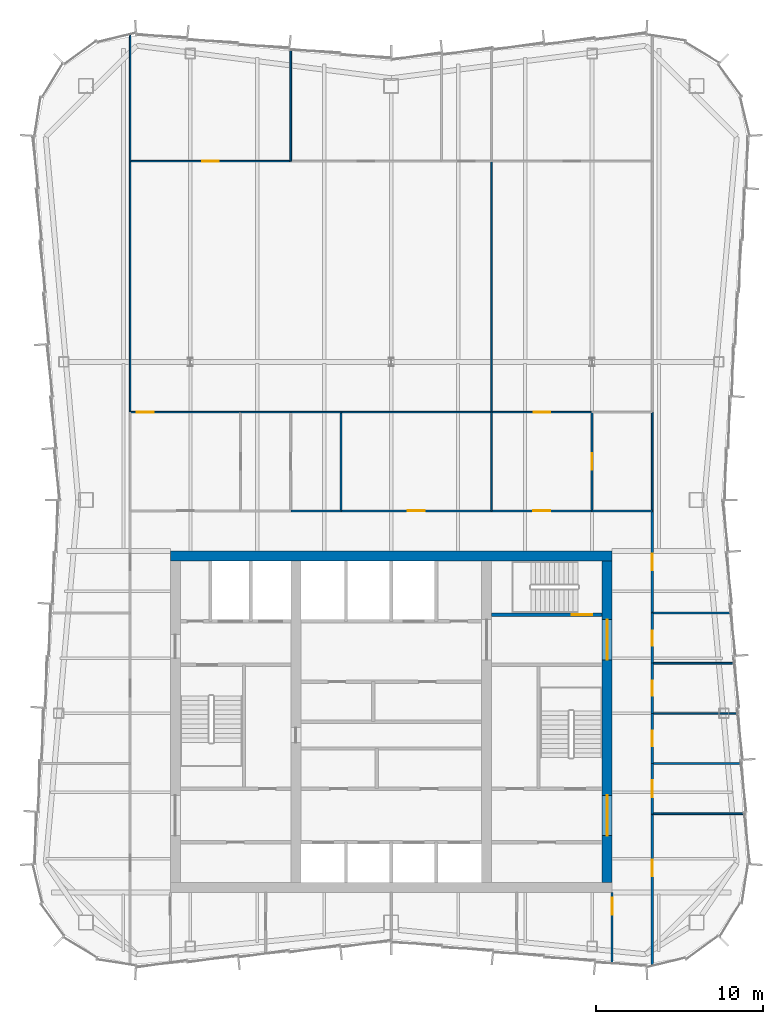
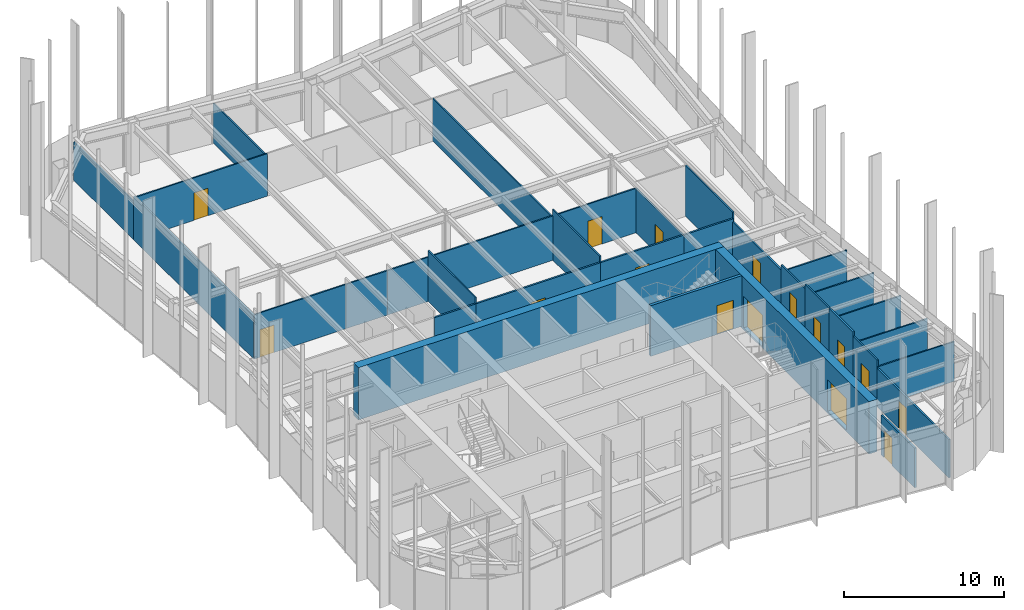
# One storey, part 11 of 13: 33 walls, 16 doors, 16 openings.
"""IFC4 building model written with IfcOpenShell, lengths in metres."""

import ifcopenshell
import ifcopenshell.guid

model = None  # the IFC model being written
_history = None  # IfcOwnerHistory: only IFC2X3 demands one
_inside = {}  # id of a spatial element -> (the spatial element, [elements in it])
_under = {}  # id of a project, library or spatial element -> (it, [spatial elements below it])
_declared = {}  # id of a project -> (the project, [libraries it declares])
_typed = {}  # id of a type object -> (the type object, [elements of that type])
_made_of = {}  # id of a material, layer set ... -> (it, [elements and type objects made of it])


def new_model(schema):
    """Start an empty IFC model of exactly this schema.

    Asked for "IFC4X3", IfcOpenShell would pick the latest addendum, in which some entities
    have other attributes; the version numbers below select the first issue.
    IFC2X3 requires an IfcOwnerHistory on every rooted entity: one is made here for all.
    """
    global model, _history
    if schema == "IFC4X3":
        model = ifcopenshell.file(schema_version=(4, 3, 0, 0))
    else:
        model = ifcopenshell.file(schema=schema)
    _inside.clear()
    _under.clear()
    _declared.clear()
    _typed.clear()
    _made_of.clear()
    _history = None
    if model.schema == "IFC2X3":
        org = make("IfcOrganization", Name="unknown")
        user = make(
            "IfcPersonAndOrganization",
            ThePerson=make("IfcPerson", FamilyName="unknown"),
            TheOrganization=org,
        )
        app = make(
            "IfcApplication",
            ApplicationDeveloper=org,
            Version="unknown",
            ApplicationFullName="unknown",
            ApplicationIdentifier="unknown",
        )
        _history = make(
            "IfcOwnerHistory",
            OwningUser=user,
            OwningApplication=app,
            ChangeAction="ADDED",
            CreationDate=0,
        )
    return model


def make(cls, **values):
    """One entity of the class cls with the attributes given. An attribute that is None is left unset."""
    return model.create_entity(
        cls, **{name: value for name, value in values.items() if value is not None}
    )


def rooted(cls, **values):
    """An entity with a GlobalId (a new one), such as an element, a storey or a relation."""
    return make(cls, GlobalId=ifcopenshell.guid.new(), OwnerHistory=_history, **values)


def si_unit(unit_type, name, prefix=None):
    """IfcSIUnit, for example si_unit("LENGTHUNIT", "METRE", prefix="MILLI")."""
    return make("IfcSIUnit", UnitType=unit_type, Prefix=prefix, Name=name)


def assignment(units):
    """IfcUnitAssignment: the units of a project."""
    return None if units is None else make("IfcUnitAssignment", Units=units)


def point(xyz):
    """IfcCartesianPoint."""
    return None if xyz is None else make("IfcCartesianPoint", Coordinates=xyz)


def direction(xyz):
    """IfcDirection."""
    return None if xyz is None else make("IfcDirection", DirectionRatios=xyz)


def frame(location, z_axis=None, x_axis=None):
    """IfcAxis2Placement3D, a coordinate frame: its origin and axes. An axis left out is left unset."""
    return make(
        "IfcAxis2Placement3D",
        Location=point(location),
        Axis=direction(z_axis),
        RefDirection=direction(x_axis),
    )


def frame_2d(location, x_axis=None):
    """IfcAxis2Placement2D, a coordinate frame in the plane: its origin and x axis."""
    return make(
        "IfcAxis2Placement2D", Location=point(location), RefDirection=direction(x_axis)
    )


def origin():
    """The frame at (0, 0, 0) with its axes left unset."""
    return frame((0.0, 0.0, 0.0))


def place(relative_to, where):
    """IfcLocalPlacement: puts the frame where relative to a parent placement (None: the world)."""
    return make(
        "IfcLocalPlacement", PlacementRelTo=relative_to, RelativePlacement=where
    )


def context(
    kind, dimensions, precision=None, world=None, true_north=None, identifier=None
):
    """IfcGeometricRepresentationContext, for example the 3D "Model" context."""
    return make(
        "IfcGeometricRepresentationContext",
        ContextIdentifier=identifier,
        ContextType=kind,
        CoordinateSpaceDimension=dimensions,
        Precision=precision,
        WorldCoordinateSystem=world,
        TrueNorth=true_north,
    )


def subcontext(parent, identifier, kind, view, scale=None):
    """IfcGeometricRepresentationSubContext, for example "Body" below "Model"."""
    return make(
        "IfcGeometricRepresentationSubContext",
        ContextIdentifier=identifier,
        ContextType=kind,
        ParentContext=parent,
        TargetScale=scale,
        TargetView=view,
    )


def project(units=None, contexts=None):
    """IfcProject with its units and contexts."""
    return rooted(
        "IfcProject",
        Name="project",
        RepresentationContexts=contexts,
        UnitsInContext=assignment(units),
    )


def spatial(cls, under=None, at=None, **own):
    """A site, building, storey or space (cls), placed at a placement, below another one or the project."""
    s = rooted(cls, ObjectPlacement=at, **own)
    if under is not None:
        _under.setdefault(under.id(), (under, []))[1].append(s)
    return s


def profile(cls, at=None, kind="AREA", **sizes):
    """A parametric profile (cls). Its sizes go by their IFC names, for example OverallWidth=200.0."""
    return make(cls, ProfileType=kind, Position=at, **sizes)


def rectangle(**sizes):
    """IfcRectangleProfileDef."""
    return profile("IfcRectangleProfileDef", **sizes)


def extrude(swept, where, along, depth):
    """IfcExtrudedAreaSolid: the profile swept, set in the frame where, extruded along a direction by depth."""
    return make(
        "IfcExtrudedAreaSolid",
        SweptArea=swept,
        Position=where,
        ExtrudedDirection=direction(along),
        Depth=depth,
    )


def shape(context_of_items, identifier, shape_type, items):
    """IfcShapeRepresentation: the items that make up one representation, for example the "Body"."""
    return make(
        "IfcShapeRepresentation",
        ContextOfItems=context_of_items,
        RepresentationIdentifier=identifier,
        RepresentationType=shape_type,
        Items=items,
    )


def material(Name=None, Category=None):
    """IfcMaterial."""
    return make("IfcMaterial", Name=Name, Category=Category)


def layer(
    of_material, thickness, ventilated=None, Name=None, Category=None, Priority=None
):
    """IfcMaterialLayer: one layer of a wall or slab, of a material (None: an air gap)."""
    return make(
        "IfcMaterialLayer",
        Material=of_material,
        LayerThickness=thickness,
        IsVentilated=ventilated,
        Name=Name,
        Category=Category,
        Priority=Priority,
    )


def layer_set(layers, Name=None):
    """IfcMaterialLayerSet."""
    return make("IfcMaterialLayerSet", MaterialLayers=layers, LayerSetName=Name)


def made_of(thing, what):
    """Note that an element or type object is made of a material, layer set ...; save() writes the relation."""
    if what is not None:
        _made_of.setdefault(what.id(), (what, []))[1].append(thing)
    return thing


def type_object(cls, material=None, **own):
    """A type object (cls), such as IfcWallType, which elements share."""
    return made_of(rooted(cls, **own), material)


def element(
    cls,
    number,
    at=None,
    inside=None,
    cuts=None,
    type_object=None,
    material=None,
    context=None,
    identifier="Body",
    shape_type=None,
    held_by="IfcProductDefinitionShape",
    body=None,
    shapes=None,
    **own,
):
    """One element of the class cls, such as IfcWall. Its Tag is "e" and its number.

    at: its placement. inside: the storey or other place that contains it. cuts: it is an
    opening in that element (IfcRelVoidsElement). A single representation is given by context,
    identifier, shape_type and body (its items); several are given by shapes. held_by: the class
    of the entity that holds the representations. save() writes the other relations.
    """
    e = rooted(cls, Tag="e%d" % number, ObjectPlacement=at, **own)
    if body is not None:
        shapes = [shape(context, identifier, shape_type, body)]
    if shapes is not None:
        e.Representation = make(held_by, Representations=shapes)
    if inside is not None:
        _inside.setdefault(inside.id(), (inside, []))[1].append(e)
    if cuts is not None:
        rooted(
            "IfcRelVoidsElement", RelatingBuildingElement=cuts, RelatedOpeningElement=e
        )
    if type_object is not None:
        _typed.setdefault(type_object.id(), (type_object, []))[1].append(e)
    return made_of(e, material)


def fill(opening, filler):
    """IfcRelFillsElement: the door or window that sits in an opening."""
    return rooted(
        "IfcRelFillsElement",
        RelatingOpeningElement=opening,
        RelatedBuildingElement=filler,
    )


def aggregate(whole, parts):
    """IfcRelAggregates: a whole, such as a stair, and the parts it consists of."""
    return rooted("IfcRelAggregates", RelatingObject=whole, RelatedObjects=parts)


def save(model, path):
    """Write the relations noted so far, then the file.

    IfcRelAggregates (storeys below a building ...), IfcRelContainedInSpatialStructure (elements
    in a storey), IfcRelDefinesByType, IfcRelAssociatesMaterial and IfcRelDeclares: one each for
    every whole, place, type object, material and project.
    """
    for whole, parts in _under.values():
        aggregate(whole, parts)
    for where, things in _inside.values():
        rooted(
            "IfcRelContainedInSpatialStructure",
            RelatedElements=things,
            RelatingStructure=where,
        )
    for kind, things in _typed.values():
        rooted("IfcRelDefinesByType", RelatedObjects=things, RelatingType=kind)
    for what, things in _made_of.values():
        rooted("IfcRelAssociatesMaterial", RelatedObjects=things, RelatingMaterial=what)
    for by, libraries in _declared.values():
        rooted("IfcRelDeclares", RelatingContext=by, RelatedDefinitions=libraries)
    model.write(path)


model = new_model("IFC4")

# Units and contexts
model_context = context("Model", 3, precision=1e-05, world=origin(), true_north=direction((0.0, 1.0)))
body_context = subcontext(model_context, "Body", "Model", "MODEL_VIEW")
ifc_project = project(units=[si_unit("LENGTHUNIT", "METRE"), si_unit("AREAUNIT", "SQUARE_METRE"), si_unit("VOLUMEUNIT", "CUBIC_METRE"), si_unit("PLANEANGLEUNIT", "RADIAN"), si_unit("MASSUNIT", "GRAM", prefix="KILO")], contexts=[model_context])

# Site, building, storey
site_placement = place(None, origin())
site = spatial("IfcSite", under=ifc_project, at=site_placement, CompositionType="ELEMENT")
building_placement = place(site_placement, origin())
building = spatial("IfcBuilding", under=site, at=building_placement, Name="Verdant Reach Tower", CompositionType="ELEMENT")
storey_placement = place(building_placement, frame((0.0, 0.0, 306.0)))
storey = spatial("IfcBuildingStorey", under=building, at=storey_placement, Name="L70", CompositionType="ELEMENT", Elevation=306.0)

# Wall, opening, door
ifc_material_1 = material(Name="Concrete C40/50", Category="concrete")
ifc_layer_1 = layer(ifc_material_1, 0.199951171875)
ifc_layer_set_1 = layer_set([ifc_layer_1], Name="CO-WALL-STAIR")
wall_type_1 = type_object("IfcWallType", Name="CO-WALL-STAIR", PredefinedType="PARTITIONING", material=ifc_layer_set_1)
wall_1_placement = place(storey_placement, frame((6.0, 34.39990234375, 0.0), z_axis=(0.0, 0.0, 1.0), x_axis=(1.0, 0.0, 0.0)))
wall_1 = element("IfcWall", 1, at=wall_1_placement, inside=storey, type_object=wall_type_1, Name="Stair enclosure wall, L70", PredefinedType="PARTITIONING", context=body_context, shape_type="SweptSolid", body=[
    extrude(rectangle(XDim=6.60009765625, YDim=0.199951171875, at=frame_2d((3.300048828125, 0.0))), origin(), (0.0, 0.0, 1.0), 3.8701171875),
])
opening_1_placement = place(wall_1_placement, frame((4.800048828125, 0.0, 0.0)))
opening_1 = element("IfcOpeningElement", 2, at=opening_1_placement, cuts=wall_1, Name="Opening SD", PredefinedType="OPENING", context=body_context, shape_type="SweptSolid", body=[
    extrude(rectangle(XDim=1.199951171875, YDim=2.199951171875, at=frame_2d((0.60009765625, 1.10009765625))), frame((0.0, 0.10986328125, 0.0), z_axis=(0.0, -1.0, 0.0), x_axis=(1.0, 0.0, 0.0)), (0.0, 0.0, 1.0), 0.219970703125),
])
ifc_material_2 = material(Name="Steel", Category="steel")
door_type_1 = type_object("IfcDoorType", Name="CO-DOOR-STAIR", OperationType="NOTDEFINED", PredefinedType="DOOR", material=ifc_material_2)
door_1_placement = place(opening_1_placement, origin())
door_1 = element("IfcDoor", 3, at=door_1_placement, inside=storey, type_object=door_type_1, Name="Stair door, L70", OperationType="SINGLE_SWING_RIGHT", OverallHeight=2.199951171875, OverallWidth=1.199951171875, PredefinedType="DOOR", context=body_context, shape_type="SweptSolid", body=[
    extrude(rectangle(XDim=1.199951171875, YDim=2.199951171875, at=frame_2d((0.60009765625, 1.10009765625))), frame((0.0, 0.02490234375, 0.0), z_axis=(0.0, -1.0, 0.0), x_axis=(1.0, 0.0, 0.0)), (0.0, 0.0, 1.0), 0.050048828125),
])
fill(opening_1, door_1)

# Walls
ifc_material_3 = material(Name="Gypsum board on steel studs", Category="steel")
ifc_layer_2 = layer(ifc_material_3, 0.10009765625)
ifc_layer_set_2 = layer_set([ifc_layer_2], Name="FL-W1 Partition 100")
wall_type_2 = type_object("IfcWallType", Name="FL-W1 Partition 100", PredefinedType="PARTITIONING", material=ifc_layer_set_2)
wall_2_placement = place(storey_placement, frame((-15.60009765625, 46.5, 0.0), z_axis=(0.0, 0.0, 1.0), x_axis=(0.0, 1.0, 0.0)))
element("IfcWall", 4, at=wall_2_placement, inside=storey, type_object=wall_type_2, Name="Partition 70.21", PredefinedType="PARTITIONING", context=body_context, shape_type="SweptSolid", body=[
    extrude(rectangle(XDim=15.0, YDim=0.10009765625, at=frame_2d((7.5, 0.0))), origin(), (0.0, 0.0, 1.0), 3.35009765625),
])
wall_3_placement = place(storey_placement, frame((-15.60009765625, 61.5, 0.0), z_axis=(0.0, 0.0, 1.0), x_axis=(0.0, 1.0, 0.0)))
element("IfcWall", 5, at=wall_3_placement, inside=storey, type_object=wall_type_2, Name="Partition 70.22", PredefinedType="PARTITIONING", context=body_context, shape_type="SweptSolid", body=[
    extrude(rectangle(XDim=7.510498046875, YDim=0.10009765625, at=frame_2d((3.75537109375, 0.0))), origin(), (0.0, 0.0, 1.0), 2.929931640625),
])
wall_4_placement = place(storey_placement, frame((21.123046875, 22.5, 0.0), z_axis=(0.0, 0.0, 1.0), x_axis=(-1.0, 0.0, 0.0)))
element("IfcWall", 6, at=wall_4_placement, inside=storey, type_object=wall_type_2, Name="Partition 70.23", PredefinedType="PARTITIONING", context=body_context, shape_type="SweptSolid", body=[
    extrude(rectangle(XDim=5.52294921875, YDim=0.10009765625, at=frame_2d((2.761474609375, 0.0))), origin(), (0.0, 0.0, 1.0), 3.0400390625),
])
wall_5_placement = place(storey_placement, frame((20.916259765625, 25.5, 0.0), z_axis=(0.0, 0.0, 1.0), x_axis=(-1.0, 0.0, 0.0)))
element("IfcWall", 7, at=wall_5_placement, inside=storey, type_object=wall_type_2, Name="Partition 70.24", PredefinedType="PARTITIONING", context=body_context, shape_type="SweptSolid", body=[
    extrude(rectangle(XDim=5.316162109375, YDim=0.10009765625, at=frame_2d((2.658203125, 0.0))), origin(), (0.0, 0.0, 1.0), 3.0400390625),
])
wall_6_placement = place(storey_placement, frame((20.709228515625, 28.5, 0.0), z_axis=(0.0, 0.0, 1.0), x_axis=(-1.0, 0.0, 0.0)))
element("IfcWall", 8, at=wall_6_placement, inside=storey, type_object=wall_type_2, Name="Partition 70.25", PredefinedType="PARTITIONING", context=body_context, shape_type="SweptSolid", body=[
    extrude(rectangle(XDim=5.109130859375, YDim=0.10009765625, at=frame_2d((2.5546875, 0.0))), origin(), (0.0, 0.0, 1.0), 3.0400390625),
])
wall_7_placement = place(storey_placement, frame((20.50244140625, 31.5, 0.0), z_axis=(0.0, 0.0, 1.0), x_axis=(-1.0, 0.0, 0.0)))
element("IfcWall", 9, at=wall_7_placement, inside=storey, type_object=wall_type_2, Name="Partition 70.26", PredefinedType="PARTITIONING", context=body_context, shape_type="SweptSolid", body=[
    extrude(rectangle(XDim=4.90234375, YDim=0.10009765625, at=frame_2d((2.451171875, 0.0))), origin(), (0.0, 0.0, 1.0), 3.0400390625),
])
wall_8_placement = place(storey_placement, frame((20.29541015625, 34.5, 0.0), z_axis=(0.0, 0.0, 1.0), x_axis=(-1.0, 0.0, 0.0)))
element("IfcWall", 10, at=wall_8_placement, inside=storey, type_object=wall_type_2, Name="Partition 70.27", PredefinedType="PARTITIONING", context=body_context, shape_type="SweptSolid", body=[
    extrude(rectangle(XDim=4.6953125, YDim=0.10009765625, at=frame_2d((2.34765625, 0.0))), origin(), (0.0, 0.0, 1.0), 3.0400390625),
])
wall_9_placement = place(storey_placement, frame((15.60009765625, 46.5, 0.0), z_axis=(0.0, 0.0, 1.0), x_axis=(0.0, -1.0, 0.0)))
element("IfcWall", 11, at=wall_9_placement, inside=storey, type_object=wall_type_2, Name="Partition 70.28", PredefinedType="PARTITIONING", context=body_context, shape_type="SweptSolid", body=[
    extrude(rectangle(XDim=5.89990234375, YDim=0.10009765625, at=frame_2d((2.949951171875, 0.0))), origin(), (0.0, 0.0, 1.0), 3.8701171875),
])

# Wall, opening, door
wall_10_placement = place(storey_placement, frame((-15.60009765625, 46.5, 0.0), z_axis=(0.0, 0.0, 1.0), x_axis=(1.0, 0.0, 0.0)))
wall_10 = element("IfcWall", 12, at=wall_10_placement, inside=storey, type_object=wall_type_2, Name="Partition 70.35", PredefinedType="PARTITIONING", context=body_context, shape_type="SweptSolid", body=[
    extrude(rectangle(XDim=6.60400390625, YDim=0.10009765625, at=frame_2d((3.302001953125, 0.0))), origin(), (0.0, 0.0, 1.0), 3.389892578125),
])
opening_2_placement = place(wall_10_placement, frame((0.402099609375, 0.0, 0.0)))
opening_2 = element("IfcOpeningElement", 13, at=opening_2_placement, cuts=wall_10, Name="Opening D3", PredefinedType="OPENING", context=body_context, shape_type="SweptSolid", body=[
    extrude(rectangle(XDim=1.0, YDim=2.10009765625, at=frame_2d((0.5, 1.050048828125))), frame((0.0, 0.06005859375, 0.0), z_axis=(0.0, -1.0, 0.0), x_axis=(1.0, 0.0, 0.0)), (0.0, 0.0, 1.0), 0.1201171875),
])
ifc_material_4 = material(Name="Painted timber door leaf", Category="wood")
door_type_2 = type_object("IfcDoorType", Name="FL-D3 Door 1000x2100", OperationType="NOTDEFINED", PredefinedType="DOOR", material=ifc_material_4)
door_2_placement = place(opening_2_placement, origin())
door_2 = element("IfcDoor", 14, at=door_2_placement, inside=storey, type_object=door_type_2, Name="Door 70-018", OperationType="SINGLE_SWING_LEFT", OverallHeight=2.10009765625, OverallWidth=1.0, PredefinedType="DOOR", context=body_context, shape_type="SweptSolid", body=[
    extrude(rectangle(XDim=1.0, YDim=2.10009765625, at=frame_2d((0.5, 1.050048828125))), frame((0.0, 0.02490234375, 0.0), z_axis=(0.0, -1.0, 0.0), x_axis=(1.0, 0.0, 0.0)), (0.0, 0.0, 1.0), 0.050048828125),
])
fill(opening_2, door_2)

# Walls
wall_11_placement = place(storey_placement, frame((-5.99609375, 46.5, 0.0), z_axis=(0.0, 0.0, 1.0), x_axis=(-1.0, 0.0, 0.0)))
element("IfcWall", 15, at=wall_11_placement, inside=storey, type_object=wall_type_2, Name="Partition 70.37", PredefinedType="PARTITIONING", context=body_context, shape_type="SweptSolid", body=[
    extrude(rectangle(XDim=3.0078125, YDim=0.10009765625, at=frame_2d((1.50390625, 0.0))), origin(), (0.0, 0.0, 1.0), 3.389892578125),
])
wall_12_placement = place(storey_placement, frame((-3.0, 40.60009765625, 0.0), z_axis=(0.0, 0.0, 1.0), x_axis=(0.0, 1.0, 0.0)))
element("IfcWall", 16, at=wall_12_placement, inside=storey, type_object=wall_type_2, Name="Partition 70.38", PredefinedType="PARTITIONING", context=body_context, shape_type="SweptSolid", body=[
    extrude(rectangle(XDim=5.89990234375, YDim=0.10009765625, at=frame_2d((2.949951171875, 0.0))), origin(), (0.0, 0.0, 1.0), 3.8701171875),
])
wall_13_placement = place(storey_placement, frame((-2.99609375, 46.5, 0.0), z_axis=(0.0, 0.0, 1.0), x_axis=(-1.0, 0.0, 0.0)))
element("IfcWall", 17, at=wall_13_placement, inside=storey, type_object=wall_type_2, Name="Partition 70.39", PredefinedType="PARTITIONING", context=body_context, shape_type="SweptSolid", body=[
    extrude(rectangle(XDim=3.0078125, YDim=0.10009765625, at=frame_2d((1.50390625, 0.0))), origin(), (0.0, 0.0, 1.0), 3.389892578125),
])
wall_14_placement = place(storey_placement, frame((6.0, 46.5, 0.0), z_axis=(0.0, 0.0, 1.0), x_axis=(-1.0, 0.0, 0.0)))
element("IfcWall", 18, at=wall_14_placement, inside=storey, type_object=wall_type_2, Name="Partition 70.40", PredefinedType="PARTITIONING", context=body_context, shape_type="SweptSolid", body=[
    extrude(rectangle(XDim=9.00390625, YDim=0.10009765625, at=frame_2d((4.501953125, 0.0))), origin(), (0.0, 0.0, 1.0), 3.389892578125),
])
wall_15_placement = place(storey_placement, frame((6.0, 40.60009765625, 0.0), z_axis=(0.0, 0.0, 1.0), x_axis=(0.0, 1.0, 0.0)))
element("IfcWall", 19, at=wall_15_placement, inside=storey, type_object=wall_type_2, Name="Partition 70.41", PredefinedType="PARTITIONING", context=body_context, shape_type="SweptSolid", body=[
    extrude(rectangle(XDim=5.89990234375, YDim=0.10009765625, at=frame_2d((2.949951171875, 0.0))), origin(), (0.0, 0.0, 1.0), 3.8701171875),
])

# Wall, opening, door
wall_16_placement = place(storey_placement, frame((-15.60009765625, 61.5, 0.0), z_axis=(0.0, 0.0, 1.0), x_axis=(1.0, 0.0, 0.0)))
wall_16 = element("IfcWall", 20, at=wall_16_placement, inside=storey, type_object=wall_type_2, Name="Partition 70.42", PredefinedType="PARTITIONING", context=body_context, shape_type="SweptSolid", body=[
    extrude(rectangle(XDim=9.60009765625, YDim=0.10009765625, at=frame_2d((4.800048828125, 0.0))), origin(), (0.0, 0.0, 1.0), 3.239990234375),
])
opening_3_placement = place(wall_16_placement, frame((4.300048828125, 0.0, 0.0)))
opening_3 = element("IfcOpeningElement", 21, at=opening_3_placement, cuts=wall_16, Name="Opening D3", PredefinedType="OPENING", context=body_context, shape_type="SweptSolid", body=[
    extrude(rectangle(XDim=1.0, YDim=2.10009765625, at=frame_2d((0.5, 1.050048828125))), frame((0.0, 0.06005859375, 0.0), z_axis=(0.0, -1.0, 0.0), x_axis=(1.0, 0.0, 0.0)), (0.0, 0.0, 1.0), 0.1201171875),
])
door_3_placement = place(opening_3_placement, origin())
door_3 = element("IfcDoor", 22, at=door_3_placement, inside=storey, type_object=door_type_2, Name="Door 70-020", OperationType="SINGLE_SWING_RIGHT", OverallHeight=2.10009765625, OverallWidth=1.0, PredefinedType="DOOR", context=body_context, shape_type="SweptSolid", body=[
    extrude(rectangle(XDim=1.0, YDim=2.10009765625, at=frame_2d((0.5, 1.050048828125))), frame((0.0, 0.02490234375, 0.0), z_axis=(0.0, -1.0, 0.0), x_axis=(1.0, 0.0, 0.0)), (0.0, 0.0, 1.0), 0.050048828125),
])
fill(opening_3, door_3)

# Walls
wall_17_placement = place(storey_placement, frame((6.0, 46.5, 0.0), z_axis=(0.0, 0.0, 1.0), x_axis=(0.0, 1.0, 0.0)))
element("IfcWall", 23, at=wall_17_placement, inside=storey, type_object=wall_type_2, Name="Partition 70.45", PredefinedType="PARTITIONING", context=body_context, shape_type="SweptSolid", body=[
    extrude(rectangle(XDim=15.0, YDim=0.10009765625, at=frame_2d((7.5, 0.0))), origin(), (0.0, 0.0, 1.0), 3.239990234375),
])
wall_18_placement = place(storey_placement, frame((-6.0, 61.5, 0.0), z_axis=(0.0, 0.0, 1.0), x_axis=(0.0, 1.0, 0.0)))
element("IfcWall", 24, at=wall_18_placement, inside=storey, type_object=wall_type_2, Name="Partition 70.46", PredefinedType="PARTITIONING", context=body_context, shape_type="SweptSolid", body=[
    extrude(rectangle(XDim=6.670166015625, YDim=0.10009765625, at=frame_2d((3.3349609375, 0.0))), origin(), (0.0, 0.0, 1.0), 3.0400390625),
])

# Wall, opening, door
wall_19_placement = place(storey_placement, frame((12.0, 46.5, 0.0), z_axis=(0.0, 0.0, 1.0), x_axis=(0.0, -1.0, 0.0)))
wall_19 = element("IfcWall", 25, at=wall_19_placement, inside=storey, type_object=wall_type_2, Name="Partition 70.49", PredefinedType="PARTITIONING", context=body_context, shape_type="SweptSolid", body=[
    extrude(rectangle(XDim=5.89990234375, YDim=0.10009765625, at=frame_2d((2.949951171875, 0.0))), origin(), (0.0, 0.0, 1.0), 3.389892578125),
])
opening_4_placement = place(wall_19_placement, frame((2.449951171875, 0.0, 0.0)))
opening_4 = element("IfcOpeningElement", 26, at=opening_4_placement, cuts=wall_19, Name="Opening D3", PredefinedType="OPENING", context=body_context, shape_type="SweptSolid", body=[
    extrude(rectangle(XDim=1.0, YDim=2.10009765625, at=frame_2d((0.5, 1.050048828125))), frame((0.0, 0.06005859375, 0.0), z_axis=(0.0, -1.0, 0.0), x_axis=(1.0, 0.0, 0.0)), (0.0, 0.0, 1.0), 0.1201171875),
])
door_4_placement = place(opening_4_placement, origin())
door_4 = element("IfcDoor", 27, at=door_4_placement, inside=storey, type_object=door_type_2, Name="Door 70-023", OperationType="SINGLE_SWING_LEFT", OverallHeight=2.10009765625, OverallWidth=1.0, PredefinedType="DOOR", context=body_context, shape_type="SweptSolid", body=[
    extrude(rectangle(XDim=1.0, YDim=2.10009765625, at=frame_2d((0.5, 1.050048828125))), frame((0.0, 0.02490234375, 0.0), z_axis=(0.0, -1.0, 0.0), x_axis=(1.0, 0.0, 0.0)), (0.0, 0.0, 1.0), 0.050048828125),
])
fill(opening_4, door_4)

wall_20_placement = place(storey_placement, frame((6.0, 46.5, 0.0), z_axis=(0.0, 0.0, 1.0), x_axis=(1.0, 0.0, 0.0)))
wall_20 = element("IfcWall", 28, at=wall_20_placement, inside=storey, type_object=wall_type_2, Name="Partition 70.50", PredefinedType="PARTITIONING", context=body_context, shape_type="SweptSolid", body=[
    extrude(rectangle(XDim=6.00390625, YDim=0.10009765625, at=frame_2d((3.001953125, 0.0))), origin(), (0.0, 0.0, 1.0), 3.389892578125),
])
opening_5_placement = place(wall_20_placement, frame((2.501953125, 0.0, 0.0)))
opening_5 = element("IfcOpeningElement", 29, at=opening_5_placement, cuts=wall_20, Name="Opening D3", PredefinedType="OPENING", context=body_context, shape_type="SweptSolid", body=[
    extrude(rectangle(XDim=1.0, YDim=2.10009765625, at=frame_2d((0.5, 1.050048828125))), frame((0.0, 0.06005859375, 0.0), z_axis=(0.0, -1.0, 0.0), x_axis=(1.0, 0.0, 0.0)), (0.0, 0.0, 1.0), 0.1201171875),
])
door_5_placement = place(opening_5_placement, origin())
door_5 = element("IfcDoor", 30, at=door_5_placement, inside=storey, type_object=door_type_2, Name="Door 70-024", OperationType="SINGLE_SWING_RIGHT", OverallHeight=2.10009765625, OverallWidth=1.0, PredefinedType="DOOR", context=body_context, shape_type="SweptSolid", body=[
    extrude(rectangle(XDim=1.0, YDim=2.10009765625, at=frame_2d((0.5, 1.050048828125))), frame((0.0, 0.02490234375, 0.0), z_axis=(0.0, -1.0, 0.0), x_axis=(1.0, 0.0, 0.0)), (0.0, 0.0, 1.0), 0.050048828125),
])
fill(opening_5, door_5)

ifc_material_5 = material(Name="Gypsum board on steel studs, fire rated", Category="steel")
ifc_layer_3 = layer(ifc_material_5, 0.125)
ifc_layer_set_3 = layer_set([ifc_layer_3], Name="FL-W2 Corridor wall 125")
wall_type_3 = type_object("IfcWallType", Name="FL-W2 Corridor wall 125", PredefinedType="PARTITIONING", material=ifc_layer_set_3)
wall_21_placement = place(storey_placement, frame((15.60009765625, 22.5, 0.0), z_axis=(0.0, 0.0, 1.0), x_axis=(0.0, -1.0, 0.0)))
wall_21 = element("IfcWall", 31, at=wall_21_placement, inside=storey, type_object=wall_type_3, Name="Partition 70.04", PredefinedType="PARTITIONING", context=body_context, shape_type="SweptSolid", body=[
    extrude(rectangle(XDim=9.010498046875, YDim=0.125, at=frame_2d((4.50537109375, 0.0))), origin(), (0.0, 0.0, 1.0), 2.929931640625),
])
opening_6_placement = place(wall_21_placement, frame((2.73974609375, 0.0, 0.0)))
opening_6 = element("IfcOpeningElement", 32, at=opening_6_placement, cuts=wall_21, Name="Opening D2", PredefinedType="OPENING", context=body_context, shape_type="SweptSolid", body=[
    extrude(rectangle(XDim=1.0, YDim=2.10009765625, at=frame_2d((0.5, 1.050048828125))), frame((0.0, 0.072509765625, 0.0), z_axis=(0.0, -1.0, 0.0), x_axis=(1.0, 0.0, 0.0)), (0.0, 0.0, 1.0), 0.14501953125),
])
ifc_material_6 = material(Name="Timber door leaf, fire rated", Category="wood")
door_type_3 = type_object("IfcDoorType", Name="FL-D2 Entrance door 1000x2100 FD30", OperationType="NOTDEFINED", PredefinedType="DOOR", material=ifc_material_6)
door_6_placement = place(opening_6_placement, origin())
door_6 = element("IfcDoor", 33, at=door_6_placement, inside=storey, type_object=door_type_3, Name="Door 70-004", OperationType="SINGLE_SWING_LEFT", OverallHeight=2.10009765625, OverallWidth=1.0, PredefinedType="DOOR", context=body_context, shape_type="SweptSolid", body=[
    extrude(rectangle(XDim=1.0, YDim=2.10009765625, at=frame_2d((0.5, 1.050048828125))), frame((0.0, 0.02490234375, 0.0), z_axis=(0.0, -1.0, 0.0), x_axis=(1.0, 0.0, 0.0)), (0.0, 0.0, 1.0), 0.050048828125),
])
fill(opening_6, door_6)

wall_22_placement = place(storey_placement, frame((15.60009765625, 25.5, 0.0), z_axis=(0.0, 0.0, 1.0), x_axis=(0.0, -1.0, 0.0)))
wall_22 = element("IfcWall", 34, at=wall_22_placement, inside=storey, type_object=wall_type_3, Name="Partition 70.05", PredefinedType="PARTITIONING", context=body_context, shape_type="SweptSolid", body=[
    extrude(rectangle(XDim=3.0, YDim=0.125, at=frame_2d((1.5, 0.0))), origin(), (0.0, 0.0, 1.0), 3.5400390625),
])
opening_7_placement = place(wall_22_placement, frame((1.0, 0.0, 0.0)))
opening_7 = element("IfcOpeningElement", 35, at=opening_7_placement, cuts=wall_22, Name="Opening D2", PredefinedType="OPENING", context=body_context, shape_type="SweptSolid", body=[
    extrude(rectangle(XDim=1.0, YDim=2.10009765625, at=frame_2d((0.5, 1.050048828125))), frame((0.0, 0.072509765625, 0.0), z_axis=(0.0, -1.0, 0.0), x_axis=(1.0, 0.0, 0.0)), (0.0, 0.0, 1.0), 0.14501953125),
])
door_7_placement = place(opening_7_placement, origin())
door_7 = element("IfcDoor", 36, at=door_7_placement, inside=storey, type_object=door_type_3, Name="Door 70-005", OperationType="SINGLE_SWING_LEFT", OverallHeight=2.10009765625, OverallWidth=1.0, PredefinedType="DOOR", context=body_context, shape_type="SweptSolid", body=[
    extrude(rectangle(XDim=1.0, YDim=2.10009765625, at=frame_2d((0.5, 1.050048828125))), frame((0.0, 0.02490234375, 0.0), z_axis=(0.0, -1.0, 0.0), x_axis=(1.0, 0.0, 0.0)), (0.0, 0.0, 1.0), 0.050048828125),
])
fill(opening_7, door_7)

wall_23_placement = place(storey_placement, frame((15.60009765625, 28.5, 0.0), z_axis=(0.0, 0.0, 1.0), x_axis=(0.0, -1.0, 0.0)))
wall_23 = element("IfcWall", 37, at=wall_23_placement, inside=storey, type_object=wall_type_3, Name="Partition 70.06", PredefinedType="PARTITIONING", context=body_context, shape_type="SweptSolid", body=[
    extrude(rectangle(XDim=3.0, YDim=0.125, at=frame_2d((1.5, 0.0))), origin(), (0.0, 0.0, 1.0), 3.8701171875),
])
opening_8_placement = place(wall_23_placement, frame((1.050048828125, 0.0, 0.0)))
opening_8 = element("IfcOpeningElement", 38, at=opening_8_placement, cuts=wall_23, Name="Opening D1", PredefinedType="OPENING", context=body_context, shape_type="SweptSolid", body=[
    extrude(rectangle(XDim=0.89990234375, YDim=2.10009765625, at=frame_2d((0.449951171875, 1.050048828125))), frame((0.0, 0.072509765625, 0.0), z_axis=(0.0, -1.0, 0.0), x_axis=(1.0, 0.0, 0.0)), (0.0, 0.0, 1.0), 0.14501953125),
])
door_type_4 = type_object("IfcDoorType", Name="FL-D1 Door 900x2100", OperationType="NOTDEFINED", PredefinedType="DOOR", material=ifc_material_4)
door_8_placement = place(opening_8_placement, origin())
door_8 = element("IfcDoor", 39, at=door_8_placement, inside=storey, type_object=door_type_4, Name="Door 70-006", OperationType="SINGLE_SWING_RIGHT", OverallHeight=2.10009765625, OverallWidth=0.89990234375, PredefinedType="DOOR", context=body_context, shape_type="SweptSolid", body=[
    extrude(rectangle(XDim=0.89990234375, YDim=2.10009765625, at=frame_2d((0.449951171875, 1.050048828125))), frame((0.0, 0.02490234375, 0.0), z_axis=(0.0, -1.0, 0.0), x_axis=(1.0, 0.0, 0.0)), (0.0, 0.0, 1.0), 0.050048828125),
])
fill(opening_8, door_8)

wall_24_placement = place(storey_placement, frame((15.60009765625, 31.5, 0.0), z_axis=(0.0, 0.0, 1.0), x_axis=(0.0, -1.0, 0.0)))
wall_24 = element("IfcWall", 40, at=wall_24_placement, inside=storey, type_object=wall_type_3, Name="Partition 70.07", PredefinedType="PARTITIONING", context=body_context, shape_type="SweptSolid", body=[
    extrude(rectangle(XDim=3.0, YDim=0.125, at=frame_2d((1.5, 0.0))), origin(), (0.0, 0.0, 1.0), 3.8701171875),
])
opening_9_placement = place(wall_24_placement, frame((1.050048828125, 0.0, 0.0)))
opening_9 = element("IfcOpeningElement", 41, at=opening_9_placement, cuts=wall_24, Name="Opening D1", PredefinedType="OPENING", context=body_context, shape_type="SweptSolid", body=[
    extrude(rectangle(XDim=0.89990234375, YDim=2.10009765625, at=frame_2d((0.449951171875, 1.050048828125))), frame((0.0, 0.072509765625, 0.0), z_axis=(0.0, -1.0, 0.0), x_axis=(1.0, 0.0, 0.0)), (0.0, 0.0, 1.0), 0.14501953125),
])
door_9_placement = place(opening_9_placement, origin())
door_9 = element("IfcDoor", 42, at=door_9_placement, inside=storey, type_object=door_type_4, Name="Door 70-007", OperationType="SINGLE_SWING_LEFT", OverallHeight=2.10009765625, OverallWidth=0.89990234375, PredefinedType="DOOR", context=body_context, shape_type="SweptSolid", body=[
    extrude(rectangle(XDim=0.89990234375, YDim=2.10009765625, at=frame_2d((0.449951171875, 1.050048828125))), frame((0.0, 0.02490234375, 0.0), z_axis=(0.0, -1.0, 0.0), x_axis=(1.0, 0.0, 0.0)), (0.0, 0.0, 1.0), 0.050048828125),
])
fill(opening_9, door_9)

wall_25_placement = place(storey_placement, frame((15.60009765625, 34.5, 0.0), z_axis=(0.0, 0.0, 1.0), x_axis=(0.0, -1.0, 0.0)))
wall_25 = element("IfcWall", 43, at=wall_25_placement, inside=storey, type_object=wall_type_3, Name="Partition 70.08", PredefinedType="PARTITIONING", context=body_context, shape_type="SweptSolid", body=[
    extrude(rectangle(XDim=3.0, YDim=0.125, at=frame_2d((1.5, 0.0))), origin(), (0.0, 0.0, 1.0), 3.5400390625),
])
opening_10_placement = place(wall_25_placement, frame((1.050048828125, 0.0, 0.0)))
opening_10 = element("IfcOpeningElement", 44, at=opening_10_placement, cuts=wall_25, Name="Opening D1", PredefinedType="OPENING", context=body_context, shape_type="SweptSolid", body=[
    extrude(rectangle(XDim=0.89990234375, YDim=2.10009765625, at=frame_2d((0.449951171875, 1.050048828125))), frame((0.0, 0.072509765625, 0.0), z_axis=(0.0, -1.0, 0.0), x_axis=(1.0, 0.0, 0.0)), (0.0, 0.0, 1.0), 0.14501953125),
])
door_10_placement = place(opening_10_placement, origin())
door_10 = element("IfcDoor", 45, at=door_10_placement, inside=storey, type_object=door_type_4, Name="Door 70-008", OperationType="SINGLE_SWING_RIGHT", OverallHeight=2.10009765625, OverallWidth=0.89990234375, PredefinedType="DOOR", context=body_context, shape_type="SweptSolid", body=[
    extrude(rectangle(XDim=0.89990234375, YDim=2.10009765625, at=frame_2d((0.449951171875, 1.050048828125))), frame((0.0, 0.02490234375, 0.0), z_axis=(0.0, -1.0, 0.0), x_axis=(1.0, 0.0, 0.0)), (0.0, 0.0, 1.0), 0.050048828125),
])
fill(opening_10, door_10)

wall_26_placement = place(storey_placement, frame((15.60009765625, 40.60400390625, 0.0), z_axis=(0.0, 0.0, 1.0), x_axis=(0.0, -1.0, 0.0)))
wall_26 = element("IfcWall", 46, at=wall_26_placement, inside=storey, type_object=wall_type_3, Name="Partition 70.09", PredefinedType="PARTITIONING", context=body_context, shape_type="SweptSolid", body=[
    extrude(rectangle(XDim=6.10400390625, YDim=0.125, at=frame_2d((3.052001953125, 0.0))), origin(), (0.0, 0.0, 1.0), 3.139892578125),
])
opening_11_placement = place(wall_26_placement, frame((2.552001953125, 0.0, 0.0)))
opening_11 = element("IfcOpeningElement", 47, at=opening_11_placement, cuts=wall_26, Name="Opening D2", PredefinedType="OPENING", context=body_context, shape_type="SweptSolid", body=[
    extrude(rectangle(XDim=1.0, YDim=2.10009765625, at=frame_2d((0.5, 1.050048828125))), frame((0.0, 0.072509765625, 0.0), z_axis=(0.0, -1.0, 0.0), x_axis=(1.0, 0.0, 0.0)), (0.0, 0.0, 1.0), 0.14501953125),
])
door_11_placement = place(opening_11_placement, origin())
door_11 = element("IfcDoor", 48, at=door_11_placement, inside=storey, type_object=door_type_3, Name="Door 70-009", OperationType="SINGLE_SWING_LEFT", OverallHeight=2.10009765625, OverallWidth=1.0, PredefinedType="DOOR", context=body_context, shape_type="SweptSolid", body=[
    extrude(rectangle(XDim=1.0, YDim=2.10009765625, at=frame_2d((0.5, 1.050048828125))), frame((0.0, 0.02490234375, 0.0), z_axis=(0.0, -1.0, 0.0), x_axis=(1.0, 0.0, 0.0)), (0.0, 0.0, 1.0), 0.050048828125),
])
fill(opening_11, door_11)

wall_27_placement = place(storey_placement, frame((13.199951171875, 13.62158203125, 0.0), z_axis=(0.0, 0.0, 1.0), x_axis=(0.0, 1.0, 0.0)))
wall_27 = element("IfcWall", 49, at=wall_27_placement, inside=storey, type_object=wall_type_3, Name="Partition 70.11", PredefinedType="PARTITIONING", context=body_context, shape_type="SweptSolid", body=[
    extrude(rectangle(XDim=4.178466796875, YDim=0.125, at=frame_2d((2.08935546875, 0.0))), origin(), (0.0, 0.0, 1.0), 3.0400390625),
])
opening_12_placement = place(wall_27_placement, frame((2.854248046875, 0.0, 0.0)))
opening_12 = element("IfcOpeningElement", 50, at=opening_12_placement, cuts=wall_27, Name="Opening D2", PredefinedType="OPENING", context=body_context, shape_type="SweptSolid", body=[
    extrude(rectangle(XDim=1.0, YDim=2.10009765625, at=frame_2d((0.5, 1.050048828125))), frame((0.0, 0.072509765625, 0.0), z_axis=(0.0, -1.0, 0.0), x_axis=(1.0, 0.0, 0.0)), (0.0, 0.0, 1.0), 0.14501953125),
])
door_12_placement = place(opening_12_placement, origin())
door_12 = element("IfcDoor", 51, at=door_12_placement, inside=storey, type_object=door_type_3, Name="Door 70-011", OperationType="SINGLE_SWING_RIGHT", OverallHeight=2.10009765625, OverallWidth=1.0, PredefinedType="DOOR", context=body_context, shape_type="SweptSolid", body=[
    extrude(rectangle(XDim=1.0, YDim=2.10009765625, at=frame_2d((0.5, 1.050048828125))), frame((0.0, 0.02490234375, 0.0), z_axis=(0.0, -1.0, 0.0), x_axis=(1.0, 0.0, 0.0)), (0.0, 0.0, 1.0), 0.050048828125),
])
fill(opening_12, door_12)

# Wall
wall_28_placement = place(storey_placement, frame((-3.0, 40.60009765625, 0.0), z_axis=(0.0, 0.0, 1.0), x_axis=(-1.0, 0.0, 0.0)))
element("IfcWall", 52, at=wall_28_placement, inside=storey, type_object=wall_type_3, Name="Partition 70.14", PredefinedType="PARTITIONING", context=body_context, shape_type="SweptSolid", body=[
    extrude(rectangle(XDim=3.0, YDim=0.125, at=frame_2d((1.5, 0.0))), origin(), (0.0, 0.0, 1.0), 3.389892578125),
])

# Wall, opening, door
wall_29_placement = place(storey_placement, frame((-3.0, 40.60009765625, 0.0), z_axis=(0.0, 0.0, 1.0), x_axis=(1.0, 0.0, 0.0)))
wall_29 = element("IfcWall", 53, at=wall_29_placement, inside=storey, type_object=wall_type_3, Name="Partition 70.15", PredefinedType="PARTITIONING", context=body_context, shape_type="SweptSolid", body=[
    extrude(rectangle(XDim=9.0, YDim=0.125, at=frame_2d((4.5, 0.0))), origin(), (0.0, 0.0, 1.0), 3.389892578125),
])
opening_13_placement = place(wall_29_placement, frame((4.0, 0.0, 0.0)))
opening_13 = element("IfcOpeningElement", 54, at=opening_13_placement, cuts=wall_29, Name="Opening D2", PredefinedType="OPENING", context=body_context, shape_type="SweptSolid", body=[
    extrude(rectangle(XDim=1.0, YDim=2.10009765625, at=frame_2d((0.5, 1.050048828125))), frame((0.0, 0.072509765625, 0.0), z_axis=(0.0, -1.0, 0.0), x_axis=(1.0, 0.0, 0.0)), (0.0, 0.0, 1.0), 0.14501953125),
])
door_13_placement = place(opening_13_placement, origin())
door_13 = element("IfcDoor", 55, at=door_13_placement, inside=storey, type_object=door_type_3, Name="Door 70-013", OperationType="SINGLE_SWING_LEFT", OverallHeight=2.10009765625, OverallWidth=1.0, PredefinedType="DOOR", context=body_context, shape_type="SweptSolid", body=[
    extrude(rectangle(XDim=1.0, YDim=2.10009765625, at=frame_2d((0.5, 1.050048828125))), frame((0.0, 0.02490234375, 0.0), z_axis=(0.0, -1.0, 0.0), x_axis=(1.0, 0.0, 0.0)), (0.0, 0.0, 1.0), 0.050048828125),
])
fill(opening_13, door_13)

wall_30_placement = place(storey_placement, frame((6.0, 40.60009765625, 0.0), z_axis=(0.0, 0.0, 1.0), x_axis=(1.0, 0.0, 0.0)))
wall_30 = element("IfcWall", 56, at=wall_30_placement, inside=storey, type_object=wall_type_3, Name="Partition 70.16", PredefinedType="PARTITIONING", context=body_context, shape_type="SweptSolid", body=[
    extrude(rectangle(XDim=6.0, YDim=0.125, at=frame_2d((3.0, 0.0))), origin(), (0.0, 0.0, 1.0), 3.389892578125),
])
opening_14_placement = place(wall_30_placement, frame((2.5, 0.0, 0.0)))
opening_14 = element("IfcOpeningElement", 57, at=opening_14_placement, cuts=wall_30, Name="Opening D2", PredefinedType="OPENING", context=body_context, shape_type="SweptSolid", body=[
    extrude(rectangle(XDim=1.0, YDim=2.10009765625, at=frame_2d((0.5, 1.050048828125))), frame((0.0, 0.072509765625, 0.0), z_axis=(0.0, -1.0, 0.0), x_axis=(1.0, 0.0, 0.0)), (0.0, 0.0, 1.0), 0.14501953125),
])
door_14_placement = place(opening_14_placement, origin())
door_14 = element("IfcDoor", 58, at=door_14_placement, inside=storey, type_object=door_type_3, Name="Door 70-014", OperationType="SINGLE_SWING_RIGHT", OverallHeight=2.10009765625, OverallWidth=1.0, PredefinedType="DOOR", context=body_context, shape_type="SweptSolid", body=[
    extrude(rectangle(XDim=1.0, YDim=2.10009765625, at=frame_2d((0.5, 1.050048828125))), frame((0.0, 0.02490234375, 0.0), z_axis=(0.0, -1.0, 0.0), x_axis=(1.0, 0.0, 0.0)), (0.0, 0.0, 1.0), 0.050048828125),
])
fill(opening_14, door_14)

# Walls
wall_31_placement = place(storey_placement, frame((15.60009765625, 40.60009765625, 0.0), z_axis=(0.0, 0.0, 1.0), x_axis=(-1.0, 0.0, 0.0)))
element("IfcWall", 59, at=wall_31_placement, inside=storey, type_object=wall_type_3, Name="Partition 70.17", PredefinedType="PARTITIONING", context=body_context, shape_type="SweptSolid", body=[
    extrude(rectangle(XDim=3.60009765625, YDim=0.125, at=frame_2d((1.800048828125, 0.0))), origin(), (0.0, 0.0, 1.0), 3.389892578125),
])
ifc_material_7 = material(Name="Concrete C70/85", Category="concrete")
ifc_layer_4 = layer(ifc_material_7, 0.60009765625)
ifc_layer_set_4 = layer_set([ifc_layer_4], Name="ST-CORE-WALL-600")
wall_type_4 = type_object("IfcWallType", Name="ST-CORE-WALL-600", PredefinedType="SHEAR", material=ifc_layer_set_4)
wall_32_placement = place(storey_placement, frame((-13.199951171875, 37.89990234375, -0.1298828125), z_axis=(0.0, 0.0, 1.0), x_axis=(1.0, 0.0, 0.0)))
element("IfcWall", 60, at=wall_32_placement, inside=storey, type_object=wall_type_4, Name="Core wall N, L70", PredefinedType="SHEAR", context=body_context, shape_type="SweptSolid", body=[
    extrude(rectangle(XDim=26.39990234375, YDim=0.60009765625, at=frame_2d((13.199951171875, 0.0))), origin(), (0.0, 0.0, 1.0), 4.0),
])

# Wall, openings, doors
wall_33_placement = place(storey_placement, frame((12.89990234375, 18.39990234375, -0.1298828125), z_axis=(0.0, 0.0, 1.0), x_axis=(0.0, 1.0, 0.0)))
wall_33 = element("IfcWall", 61, at=wall_33_placement, inside=storey, type_object=wall_type_4, Name="Core wall E, L70", PredefinedType="SHEAR", context=body_context, shape_type="SweptSolid", body=[
    extrude(rectangle(XDim=19.2001953125, YDim=0.60009765625, at=frame_2d((9.60009765625, 0.0))), origin(), (0.0, 0.0, 1.0), 4.0),
])
opening_15_placement = place(wall_33_placement, frame((2.800048828125, 0.0, 0.1298828125)))
opening_15 = element("IfcOpeningElement", 62, at=opening_15_placement, cuts=wall_33, Name="Opening LB", PredefinedType="OPENING", context=body_context, shape_type="SweptSolid", body=[
    extrude(rectangle(XDim=2.39990234375, YDim=2.39990234375, at=frame_2d((1.199951171875, 1.199951171875))), frame((0.0, 0.31005859375, 0.0), z_axis=(0.0, -1.0, 0.0), x_axis=(1.0, 0.0, 0.0)), (0.0, 0.0, 1.0), 0.6201171875),
])
opening_16_placement = place(wall_33_placement, frame((13.300048828125, 0.0, 0.1298828125)))
opening_16 = element("IfcOpeningElement", 63, at=opening_16_placement, cuts=wall_33, Name="Opening LB", PredefinedType="OPENING", context=body_context, shape_type="SweptSolid", body=[
    extrude(rectangle(XDim=2.39990234375, YDim=2.39990234375, at=frame_2d((1.199951171875, 1.199951171875))), frame((0.0, 0.31005859375, 0.0), z_axis=(0.0, -1.0, 0.0), x_axis=(1.0, 0.0, 0.0)), (0.0, 0.0, 1.0), 0.6201171875),
])
ifc_material_8 = material(Name="Glass and steel", Category="steel")
door_type_5 = type_object("IfcDoorType", Name="CO-DOOR-LOBBY", OperationType="DOUBLE_DOOR_SINGLE_SWING", PredefinedType="DOOR", material=ifc_material_8)
door_15_placement = place(opening_15_placement, origin())
door_15 = element("IfcDoor", 64, at=door_15_placement, inside=storey, type_object=door_type_5, Name="Core entrance door, L70", OperationType="DOUBLE_DOOR_SINGLE_SWING", OverallHeight=2.39990234375, OverallWidth=2.39990234375, PredefinedType="DOOR", context=body_context, shape_type="SweptSolid", body=[
    extrude(rectangle(XDim=2.39990234375, YDim=2.39990234375, at=frame_2d((1.199951171875, 1.199951171875))), frame((0.0, 0.02490234375, 0.0), z_axis=(0.0, -1.0, 0.0), x_axis=(1.0, 0.0, 0.0)), (0.0, 0.0, 1.0), 0.050048828125),
])
fill(opening_15, door_15)
door_16_placement = place(opening_16_placement, origin())
door_16 = element("IfcDoor", 65, at=door_16_placement, inside=storey, type_object=door_type_5, Name="Core entrance door, L70", OperationType="DOUBLE_DOOR_SINGLE_SWING", OverallHeight=2.39990234375, OverallWidth=2.39990234375, PredefinedType="DOOR", context=body_context, shape_type="SweptSolid", body=[
    extrude(rectangle(XDim=2.39990234375, YDim=2.39990234375, at=frame_2d((1.199951171875, 1.199951171875))), frame((0.0, 0.02490234375, 0.0), z_axis=(0.0, -1.0, 0.0), x_axis=(1.0, 0.0, 0.0)), (0.0, 0.0, 1.0), 0.050048828125),
])
fill(opening_16, door_16)

save(model, "model.ifc")
